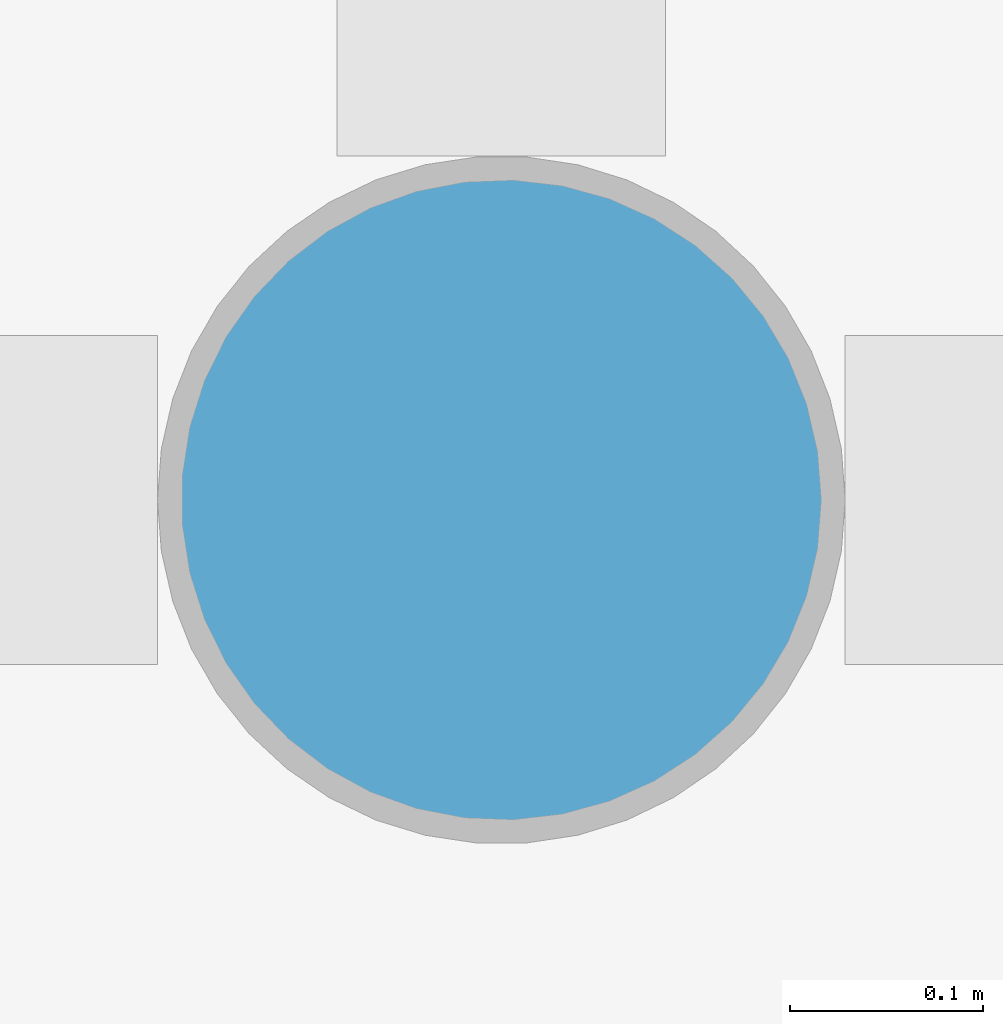
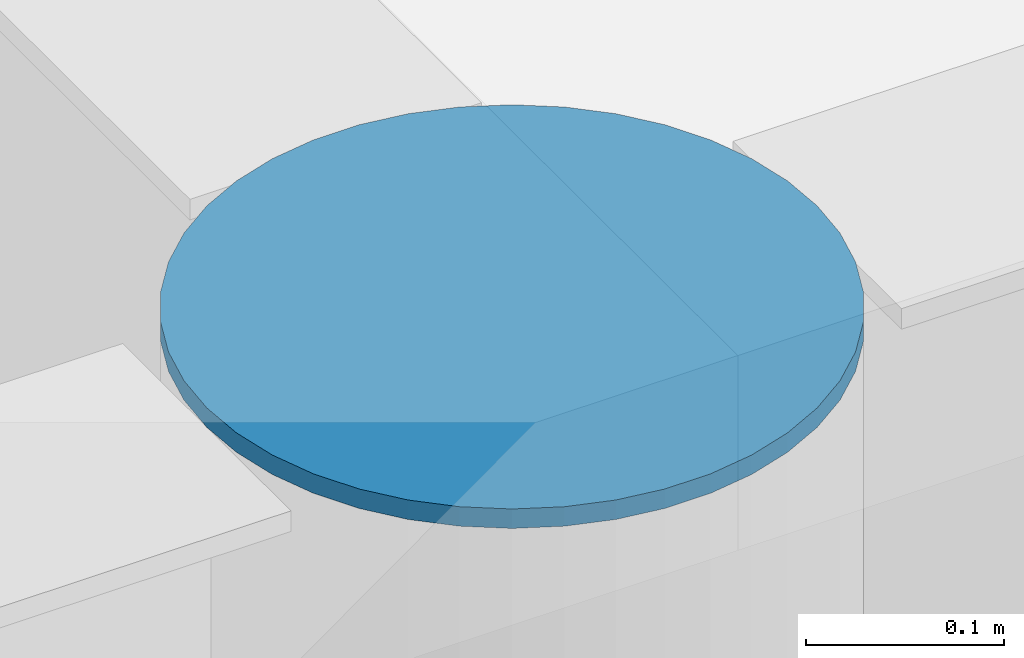
# One storey, part 114 of 132: 1 discrete accessory.
"""IFC4 building model written with IfcOpenShell, lengths in metres."""

from ifc_helpers import new_model, si_unit, direction, frame, origin, origin_2d, place, context, subcontext, project, spatial, circle, extrude, material, material_profile, profile_set, type_object, element, save


model = new_model("IFC4")

# Units and contexts
model_context = context("Model", 3, precision=1e-05, world=origin(), true_north=direction((0.0, 1.0)))
body_context = subcontext(model_context, "Body", "Model", "MODEL_VIEW")
ifc_project = project(units=[si_unit("LENGTHUNIT", "METRE"), si_unit("AREAUNIT", "SQUARE_METRE"), si_unit("VOLUMEUNIT", "CUBIC_METRE"), si_unit("PLANEANGLEUNIT", "RADIAN"), si_unit("MASSUNIT", "GRAM", prefix="KILO")], contexts=[model_context])

# Site, building, storey
site_placement = place(None, origin())
site = spatial("IfcSite", under=ifc_project, at=site_placement, CompositionType="ELEMENT")
building_placement = place(site_placement, origin())
building = spatial("IfcBuilding", under=site, at=building_placement, Name="Ravi Spectrum Wholesale Market", CompositionType="ELEMENT")
storey_placement = place(building_placement, origin())
storey = spatial("IfcBuildingStorey", under=building, at=storey_placement, Name="L00", CompositionType="ELEMENT", Elevation=0.0)

# Discrete accessory
ifc_material = material(Name="Steel S355", Category="steel")
ifc_material_profile = material_profile(ifc_material, circle(Radius=0.177734375, at=origin_2d()))
ifc_profile_set = profile_set([ifc_material_profile], Name="Steel S355")
discrete_accessory_type = type_object("IfcDiscreteAccessoryType", Name="End plate CHS 355.6x12.5", PredefinedType="BRACKET", material=ifc_profile_set)
discrete_accessory_placement = place(storey_placement, frame((258.0, 154.0, 4.97998046875), z_axis=(0.0, 0.0, 1.0), x_axis=(1.0, 0.0, 0.0)))
element("IfcDiscreteAccessory", 1, at=discrete_accessory_placement, inside=storey, type_object=discrete_accessory_type, Name="End plate", PredefinedType="BRACKET", context=body_context, shape_type="SweptSolid", body=[
    extrude(circle(Radius=0.177734375, at=origin_2d()), origin(), (0.0, 0.0, 1.0), 0.011962890625),
])

save(model, "model.ifc")
